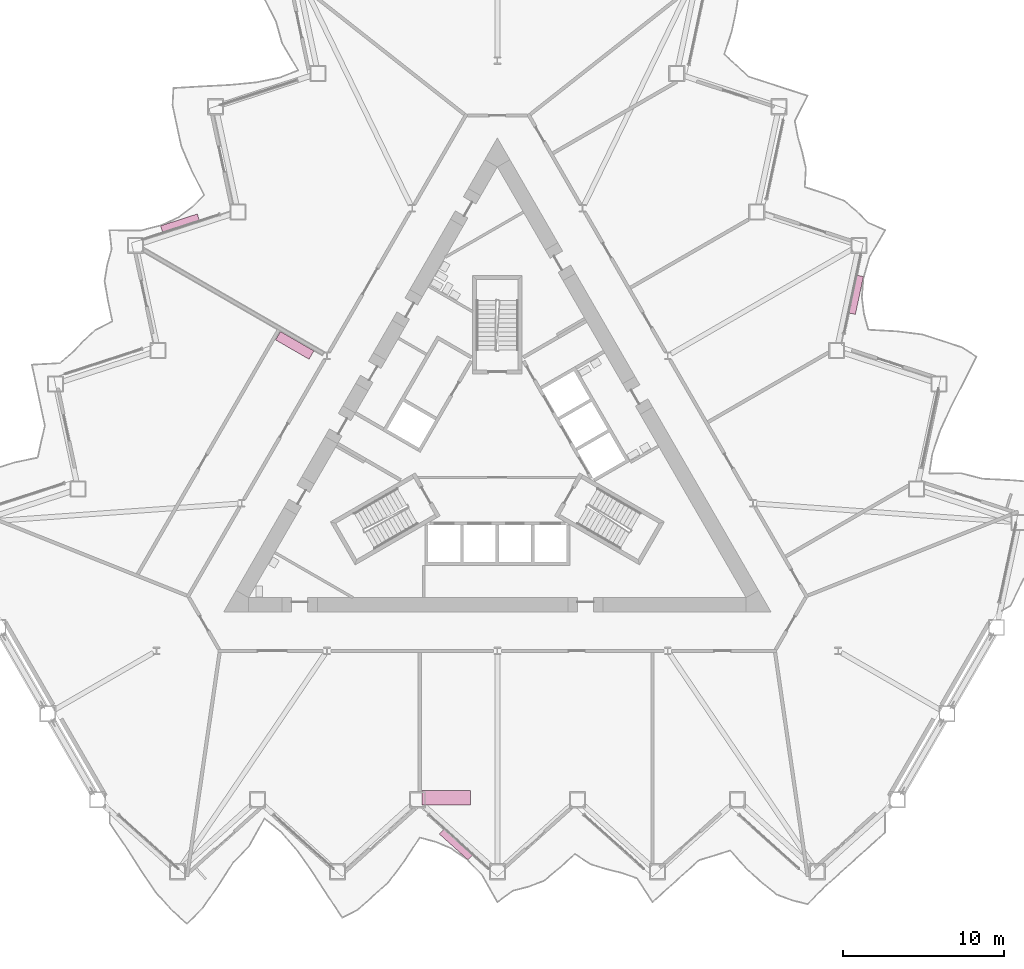
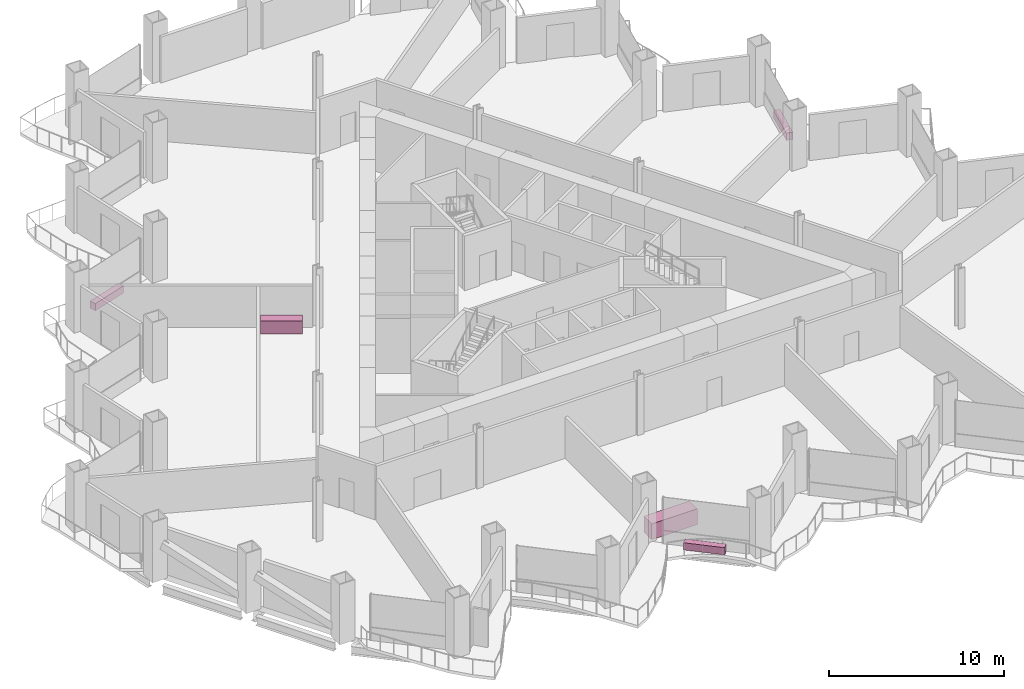
# One storey, part 20 of 20: 5 furniture elements.
"""IFC4 building model written with IfcOpenShell, lengths in metres."""

from ifc_helpers import new_model, si_unit, direction, frame, origin, origin_2d, place, context, subcontext, project, spatial, rectangle, extrude, material, type_object, element, save


model = new_model("IFC4")

# Units and contexts
model_context = context("Model", 3, precision=1e-05, world=origin(), true_north=direction((0.0, 1.0)))
body_context = subcontext(model_context, "Body", "Model", "MODEL_VIEW")
ifc_project = project(units=[si_unit("LENGTHUNIT", "METRE"), si_unit("AREAUNIT", "SQUARE_METRE"), si_unit("VOLUMEUNIT", "CUBIC_METRE"), si_unit("PLANEANGLEUNIT", "RADIAN"), si_unit("MASSUNIT", "GRAM", prefix="KILO")], contexts=[model_context])

# Site, building, storey
site_placement = place(None, origin())
site = spatial("IfcSite", under=ifc_project, at=site_placement, CompositionType="ELEMENT")
building_placement = place(site_placement, origin())
building = spatial("IfcBuilding", under=site, at=building_placement, Name="Cormorant Prow Tower", CompositionType="ELEMENT")
storey_placement = place(building_placement, frame((0.0, 0.0, 38.39990234375)))
storey = spatial("IfcBuildingStorey", under=building, at=storey_placement, Name="L07", CompositionType="ELEMENT", Elevation=38.39990234375)

# Furniture
ifc_material_1 = material(Name="Terracotta", Category="masonry")
furniture_type_1 = type_object("IfcFurnitureType", Name="Balcony planter 2400x400x500", AssemblyPlace="NOTDEFINED", PredefinedType="USERDEFINED", material=ifc_material_1)
for number, where, z_axis, x_axis, name in (
    (1, (-2.576171875, -24.243408203125, 0.0), (0.0, 0.0, 1.0), (0.743144833547, -0.669130597396, 0.0), "Balcony planter S04"),
    (2, (22.283447265625, 9.890625, 0.0), (0.0, 0.0, 1.0), (0.207911614097, 0.978147617041, 0.0), "Balcony planter ENE04"),
    (3, (-19.707275390625, 14.3525390625, 0.0), (0.0, 0.0, 1.0), (-0.951056505967, -0.309017026162, 0.0), "Balcony planter WNW04"),
):
    element("IfcFurniture", number, at=place(storey_placement, frame(where, z_axis=z_axis, x_axis=x_axis)), inside=storey, type_object=furniture_type_1, Name=name, ObjectType="PLANTER", PredefinedType="USERDEFINED", context=body_context, shape_type="SweptSolid", body=[
        extrude(rectangle(XDim=2.39990234375, YDim=0.39990234375, at=origin_2d()), origin(), (0.0, 0.0, 1.0), 0.5),
    ])
ifc_material_2 = material(Name="Timber joinery", Category="wood")
furniture_type_2 = type_object("IfcFurnitureType", Name="Kitchen counter 2400x600", AssemblyPlace="NOTDEFINED", PredefinedType="NOTDEFINED", material=ifc_material_2)
furniture_1_placement = place(storey_placement, frame((-12.58056640625, 6.74951171875, 0.000244140625), z_axis=(0.0, 0.0, 1.0), x_axis=(0.866025403784, -0.5, 0.0)))
element("IfcFurniture", 4, at=furniture_1_placement, inside=storey, type_object=furniture_type_2, Name="Kitchen counter", PredefinedType="NOTDEFINED", context=body_context, shape_type="SweptSolid", body=[
    extrude(rectangle(XDim=2.39990234375, YDim=0.60009765625, at=origin_2d()), origin(), (0.0, 0.0, 1.0), 0.89990234375),
])
ifc_material_3 = material(Name="Timber joinery", Category="wood")
furniture_type_3 = type_object("IfcFurnitureType", Name="Reception desk 3000x900", AssemblyPlace="NOTDEFINED", PredefinedType="DESK", material=ifc_material_3)
furniture_2_placement = place(storey_placement, frame((-3.172607421875, -21.348388671875, 0.0), z_axis=(0.0, 0.0, 1.0), x_axis=(1.0, 0.0, 0.0)))
element("IfcFurniture", 5, at=furniture_2_placement, inside=storey, type_object=furniture_type_3, Name="Reception desk", PredefinedType="DESK", context=body_context, shape_type="SweptSolid", body=[
    extrude(rectangle(XDim=3.0, YDim=0.89990234375, at=origin_2d()), origin(), (0.0, 0.0, 1.0), 1.10009765625),
])

save(model, "model.ifc")
